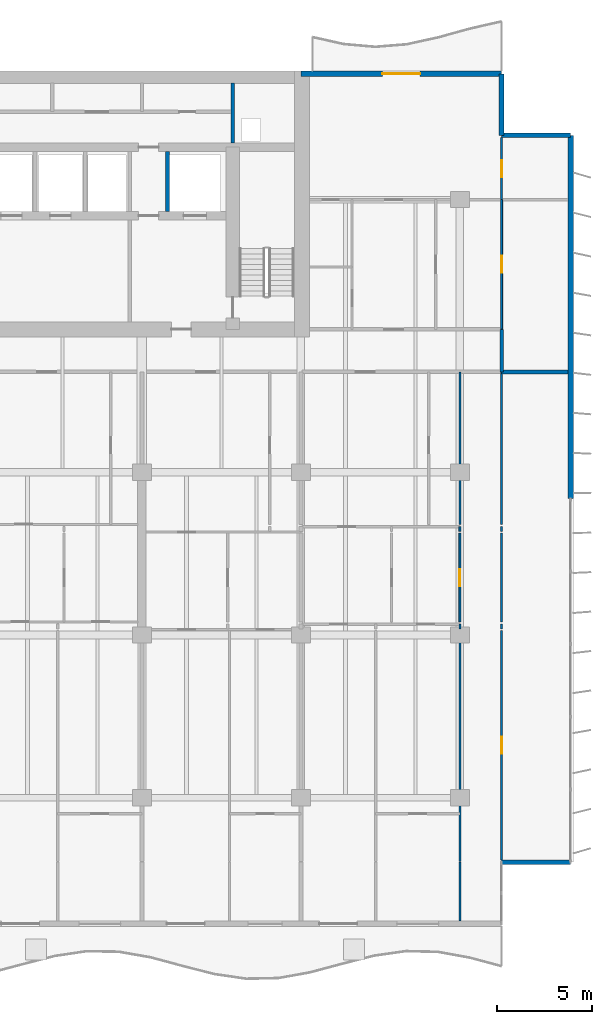
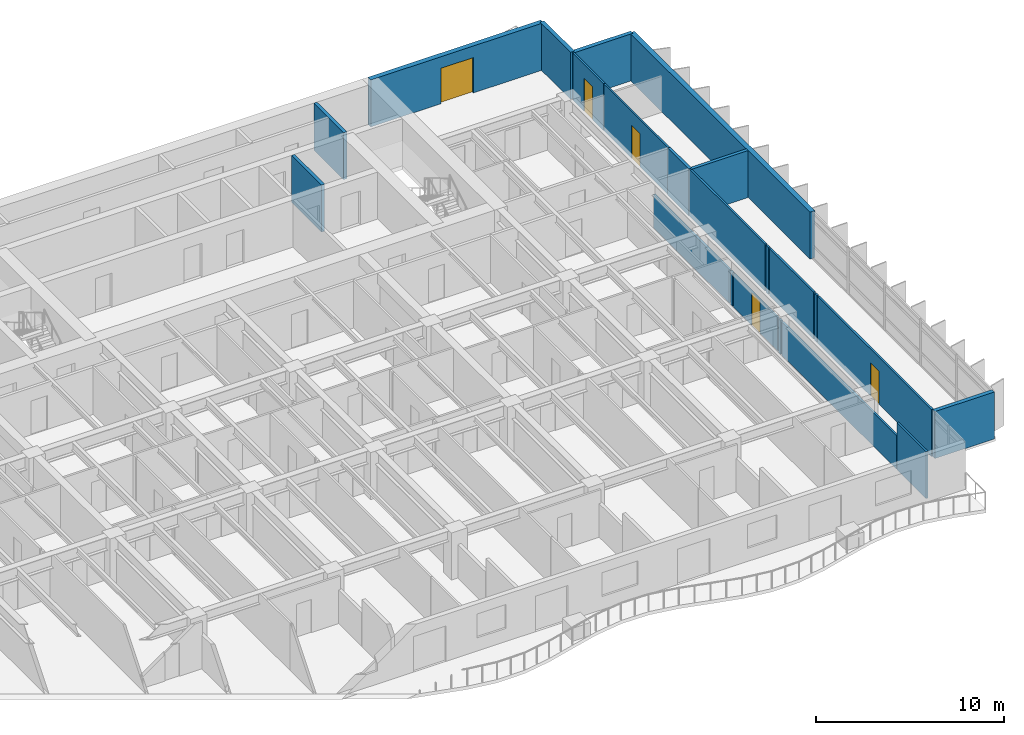
# One storey, part 13 of 18: 22 walls, 5 doors, 5 openings.
"""IFC4 building model written with IfcOpenShell, lengths in metres."""

from ifc_helpers import new_model, si_unit, direction, frame, frame_2d, origin, place, context, subcontext, project, spatial, rectangle, extrude, material, layer, layer_set, type_object, element, fill, save


model = new_model("IFC4")

# Units and contexts
model_context = context("Model", 3, precision=1e-05, world=origin(), true_north=direction((0.0, 1.0)))
body_context = subcontext(model_context, "Body", "Model", "MODEL_VIEW")
ifc_project = project(units=[si_unit("LENGTHUNIT", "METRE"), si_unit("AREAUNIT", "SQUARE_METRE"), si_unit("VOLUMEUNIT", "CUBIC_METRE"), si_unit("PLANEANGLEUNIT", "RADIAN"), si_unit("MASSUNIT", "GRAM", prefix="KILO")], contexts=[model_context])

# Site, building, storey
site_placement = place(None, origin())
site = spatial("IfcSite", under=ifc_project, at=site_placement, CompositionType="ELEMENT")
building_placement = place(site_placement, origin())
building = spatial("IfcBuilding", under=site, at=building_placement, Name="Caelmar Bay Residences", CompositionType="ELEMENT")
storey_placement = place(building_placement, frame((0.0, 0.0, 125.699951171875)))
storey = spatial("IfcBuildingStorey", under=building, at=storey_placement, Name="L34", CompositionType="ELEMENT", Elevation=125.699951171875)

# Walls
ifc_material_1 = material(Name="Double-stud acoustic fire-rated gypsum partition 180 mm")
ifc_layer_1 = layer(ifc_material_1, 0.179931640625)
ifc_layer_set_1 = layer_set([ifc_layer_1], Name="Double-stud acoustic fire-rated gypsum partition 180 mm")
wall_type_1 = type_object("IfcWallType", Name="W-COR-200", PredefinedType="PARTITIONING", material=ifc_layer_set_1)
wall_1_placement = place(storey_placement, frame((70.10009765625, 34.705078125, 0.0), z_axis=(0.0, 0.0, 1.0), x_axis=(0.0, 1.0, 0.0)))
element("IfcWall", 1, at=wall_1_placement, inside=storey, type_object=wall_type_1, Name="L34 Partition Wall V118", PredefinedType="PARTITIONING", context=body_context, shape_type="SweptSolid", body=[
    extrude(rectangle(XDim=2.244873046875, YDim=0.179931640625, at=frame_2d((1.12255859375, 0.0))), origin(), (0.0, 0.0, 1.0), 3.050048828125),
])
ifc_material_2 = material(Name="Precast concrete f'c 40 MPa (6,000 psi)", Category="concrete")
ifc_layer_2 = layer(ifc_material_2, 0.25)
ifc_layer_set_2 = layer_set([ifc_layer_2], Name="Precast concrete f'c 40 MPa (6,000 psi)")
wall_type_2 = type_object("IfcWallType", Name="W-EXT-250", PredefinedType="ELEMENTEDWALL", material=ifc_layer_set_2)
wall_2_placement = place(storey_placement, frame((70.10009765625, 8.800048828125, 0.0), z_axis=(0.0, 0.0, 1.0), x_axis=(1.0, 0.0, 0.0)))
element("IfcWall", 2, at=wall_2_placement, inside=storey, type_object=wall_type_2, Name="L34 SE Notch Return Wall", PredefinedType="ELEMENTEDWALL", context=body_context, shape_type="SweptSolid", body=[
    extrude(rectangle(XDim=3.64990234375, YDim=0.25, at=frame_2d((1.824951171875, 0.0))), origin(), (0.0, 0.0, 1.0), 3.050048828125),
])
wall_3_placement = place(storey_placement, frame((70.10009765625, 50.449951171875, 0.0), z_axis=(0.0, 0.0, 1.0), x_axis=(0.0, -1.0, 0.0)))
element("IfcWall", 3, at=wall_3_placement, inside=storey, type_object=wall_type_2, Name="L34 NNE-V Notch Wall", PredefinedType="ELEMENTEDWALL", context=body_context, shape_type="SweptSolid", body=[
    extrude(rectangle(XDim=3.25, YDim=0.25, at=frame_2d((1.625, 0.0))), origin(), (0.0, 0.0, 1.0), 3.050048828125),
])
wall_4_placement = place(storey_placement, frame((70.10009765625, 47.199951171875, 0.0), z_axis=(0.0, 0.0, 1.0), x_axis=(1.0, 0.0, 0.0)))
element("IfcWall", 4, at=wall_4_placement, inside=storey, type_object=wall_type_2, Name="L34 NNE-H Notch Wall", PredefinedType="ELEMENTEDWALL", context=body_context, shape_type="SweptSolid", body=[
    extrude(rectangle(XDim=3.64990234375, YDim=0.25, at=frame_2d((1.824951171875, 0.0))), origin(), (0.0, 0.0, 1.0), 3.050048828125),
])
ifc_layer_3 = layer(ifc_material_2, 0.300048828125)
ifc_layer_set_3 = layer_set([ifc_layer_3], Name="Precast concrete f'c 40 MPa (6,000 psi)")
wall_type_3 = type_object("IfcWallType", Name="W-EXT-300", PredefinedType="STANDARD", material=ifc_layer_set_3)
wall_5_placement = place(storey_placement, frame((73.75, 47.199951171875, 0.0), z_axis=(0.0, 0.0, 1.0), x_axis=(0.0, -1.0, 0.0)))
element("IfcWall", 5, at=wall_5_placement, inside=storey, type_object=wall_type_3, Name="L34 East Rear Exterior Wall", PredefinedType="STANDARD", context=body_context, shape_type="SweptSolid", body=[
    extrude(rectangle(XDim=19.199951171875, YDim=0.300048828125, at=frame_2d((9.60009765625, 0.0))), origin(), (0.0, 0.0, 1.0), 3.050048828125),
])

# Wall, opening, door
wall_6_placement = place(storey_placement, frame((59.5, 50.449951171875, 0.0), z_axis=(0.0, 0.0, 1.0), x_axis=(1.0, 0.0, 0.0)))
wall_6 = element("IfcWall", 6, at=wall_6_placement, inside=storey, type_object=wall_type_3, Name="L34 North-East Wing Exterior Wall", PredefinedType="STANDARD", context=body_context, shape_type="SweptSolid", body=[
    extrude(rectangle(XDim=10.60009765625, YDim=0.300048828125, at=frame_2d((5.300048828125, 0.0))), origin(), (0.0, 0.0, 1.0), 3.050048828125),
])
opening_1_placement = place(wall_6_placement, frame((4.300048828125, 0.0, 0.0)))
opening_1 = element("IfcOpeningElement", 7, at=opening_1_placement, cuts=wall_6, Name="Opening L34-BDNE", PredefinedType="OPENING", context=body_context, shape_type="SweptSolid", body=[
    extrude(rectangle(XDim=2.0, YDim=2.300048828125, at=frame_2d((1.0, 1.14990234375))), frame((0.0, 0.159912109375, 0.0), z_axis=(0.0, -1.0, 0.0), x_axis=(1.0, 0.0, 0.0)), (0.0, 0.0, 1.0), 0.320068359375),
])
ifc_material_3 = material(Name="Anodised bronze thermally broken sliding glass door", Category="glass")
ifc_layer_4 = layer(ifc_material_3, 0.050048828125)
ifc_layer_set_4 = layer_set([ifc_layer_4], Name="Anodised bronze thermally broken sliding glass door")
door_type_1 = type_object("IfcDoorType", Name="D-BAL-2000", OperationType="DOUBLE_DOOR_SLIDING", PredefinedType="DOOR", material=ifc_layer_set_4)
door_1_placement = place(opening_1_placement, origin())
door_1 = element("IfcDoor", 8, at=door_1_placement, inside=storey, type_object=door_type_1, Name="L34 North-East Balcony Door", OperationType="DOUBLE_DOOR_SLIDING", OverallHeight=2.300048828125, OverallWidth=2.0, PredefinedType="DOOR", context=body_context, shape_type="SweptSolid", body=[
    extrude(rectangle(XDim=2.0, YDim=2.300048828125, at=frame_2d((1.0, 1.14990234375))), frame((0.0, 0.02490234375, 0.0), z_axis=(0.0, -1.0, 0.0), x_axis=(1.0, 0.0, 0.0)), (0.0, 0.0, 1.0), 0.050048828125),
])
fill(opening_1, door_1)

# Walls
ifc_material_4 = material(Name="Fire-rated masonry and gypsum shaftliner assembly 200 mm", Category="masonry")
ifc_layer_5 = layer(ifc_material_4, 0.199951171875)
ifc_layer_set_5 = layer_set([ifc_layer_5], Name="Fire-rated masonry and gypsum shaftliner assembly 200 mm")
wall_type_4 = type_object("IfcWallType", Name="W-FSAE-200", PredefinedType="PARTITIONING", material=ifc_layer_set_5)
wall_7_placement = place(storey_placement, frame((52.449951171875, 43.169921875, 0.0), z_axis=(0.0, 0.0, 1.0), x_axis=(0.0, 1.0, 0.0)))
element("IfcWall", 9, at=wall_7_placement, inside=storey, type_object=wall_type_4, Name="L34 Partition Wall V085", PredefinedType="PARTITIONING", context=body_context, shape_type="SweptSolid", body=[
    extrude(rectangle(XDim=3.18505859375, YDim=0.199951171875, at=frame_2d((1.592529296875, 0.0))), origin(), (0.0, 0.0, 1.0), 3.050048828125),
])
wall_8_placement = place(storey_placement, frame((55.89990234375, 46.794921875, 0.0), z_axis=(0.0, 0.0, 1.0), x_axis=(0.0, 1.0, 0.0)))
element("IfcWall", 10, at=wall_8_placement, inside=storey, type_object=wall_type_4, Name="L34 Partition Wall V090", PredefinedType="PARTITIONING", context=body_context, shape_type="SweptSolid", body=[
    extrude(rectangle(XDim=3.16015625, YDim=0.199951171875, at=frame_2d((1.580078125, 0.0))), origin(), (0.0, 0.0, 1.0), 3.050048828125),
])

# Wall, opening, door
ifc_material_5 = material(Name="Anodised bronze framed acoustic sliding study partition 100 mm")
ifc_layer_6 = layer(ifc_material_5, 0.10009765625)
ifc_layer_set_6 = layer_set([ifc_layer_6], Name="Anodised bronze framed acoustic sliding study partition 100 mm")
wall_type_5 = type_object("IfcWallType", Name="W-MOV-100", PredefinedType="MOVABLE", material=ifc_layer_set_6)
wall_9_placement = place(storey_placement, frame((67.89990234375, 21.489990234375, 0.0), z_axis=(0.0, 0.0, 1.0), x_axis=(0.0, 1.0, 0.0)))
wall_9 = element("IfcWall", 11, at=wall_9_placement, inside=storey, type_object=wall_type_5, Name="L34 Partition Wall V110", PredefinedType="MOVABLE", context=body_context, shape_type="SweptSolid", body=[
    extrude(rectangle(XDim=4.68994140625, YDim=0.10009765625, at=frame_2d((2.344970703125, 0.0))), origin(), (0.0, 0.0, 1.0), 2.174072265625),
])
opening_2_placement = place(wall_9_placement, frame((1.89501953125, 0.0, 0.0)))
opening_2 = element("IfcOpeningElement", 12, at=opening_2_placement, cuts=wall_9, Name="Opening D-L34-172", PredefinedType="OPENING", context=body_context, shape_type="SweptSolid", body=[
    extrude(rectangle(XDim=0.89990234375, YDim=2.1240234375, at=frame_2d((0.449951171875, 1.06201171875))), frame((0.0, 0.06005859375, 0.0), z_axis=(0.0, -1.0, 0.0), x_axis=(1.0, 0.0, 0.0)), (0.0, 0.0, 1.0), 0.1201171875),
])
ifc_material_6 = material(Name="Solid walnut timber interior door leaf and frame", Category="wood")
ifc_layer_7 = layer(ifc_material_6, 0.050048828125)
ifc_layer_set_7 = layer_set([ifc_layer_7], Name="Solid walnut timber interior door leaf and frame")
door_type_2 = type_object("IfcDoorType", Name="D-ROOM-900", OperationType="NOTDEFINED", PredefinedType="DOOR", material=ifc_layer_set_7)
door_2_placement = place(opening_2_placement, origin())
door_2 = element("IfcDoor", 13, at=door_2_placement, inside=storey, type_object=door_type_2, Name="L34 Residence 07 East Apartment Hall Door", OperationType="SINGLE_SWING_LEFT", OverallHeight=2.1240234375, OverallWidth=0.89990234375, PredefinedType="DOOR", context=body_context, shape_type="SweptSolid", body=[
    extrude(rectangle(XDim=0.89990234375, YDim=2.1240234375, at=frame_2d((0.449951171875, 1.06201171875))), frame((0.0, 0.02490234375, 0.0), z_axis=(0.0, -1.0, 0.0), x_axis=(1.0, 0.0, 0.0)), (0.0, 0.0, 1.0), 0.050048828125),
])
fill(opening_2, door_2)

# Wall
wall_10_placement = place(storey_placement, frame((67.89990234375, 26.280029296875, 0.0), z_axis=(0.0, 0.0, 1.0), x_axis=(0.0, 1.0, 0.0)))
element("IfcWall", 14, at=wall_10_placement, inside=storey, type_object=wall_type_5, Name="L34 Partition Wall V111", PredefinedType="MOVABLE", context=body_context, shape_type="SweptSolid", body=[
    extrude(rectangle(XDim=0.239990234375, YDim=0.10009765625, at=frame_2d((0.1201171875, 0.0))), origin(), (0.0, 0.0, 1.0), 2.174072265625),
])

# Wall, opening, door
wall_11_placement = place(storey_placement, frame((70.10009765625, 36.955078125, 0.0), z_axis=(0.0, 0.0, 1.0), x_axis=(0.0, 1.0, 0.0)))
wall_11 = element("IfcWall", 15, at=wall_11_placement, inside=storey, type_object=wall_type_5, Name="L34 Partition Wall V119", PredefinedType="MOVABLE", context=body_context, shape_type="SweptSolid", body=[
    extrude(rectangle(XDim=6.844970703125, YDim=0.10009765625, at=frame_2d((3.42236328125, 0.0))), origin(), (0.0, 0.0, 1.0), 3.050048828125),
])
opening_3_placement = place(wall_11_placement, frame((2.972412109375, 0.0, 0.0)))
opening_3 = element("IfcOpeningElement", 16, at=opening_3_placement, cuts=wall_11, Name="Opening D-L34-187", PredefinedType="OPENING", context=body_context, shape_type="SweptSolid", body=[
    extrude(rectangle(XDim=0.89990234375, YDim=2.14990234375, at=frame_2d((0.449951171875, 1.074951171875))), frame((0.0, 0.06005859375, 0.0), z_axis=(0.0, -1.0, 0.0), x_axis=(1.0, 0.0, 0.0)), (0.0, 0.0, 1.0), 0.1201171875),
])
door_3_placement = place(opening_3_placement, origin())
door_3 = element("IfcDoor", 17, at=door_3_placement, inside=storey, type_object=door_type_2, Name="L34 Residence EA Sun Study Door", OperationType="SINGLE_SWING_RIGHT", OverallHeight=2.14990234375, OverallWidth=0.89990234375, PredefinedType="DOOR", context=body_context, shape_type="SweptSolid", body=[
    extrude(rectangle(XDim=0.89990234375, YDim=2.14990234375, at=frame_2d((0.449951171875, 1.074951171875))), frame((0.0, 0.02490234375, 0.0), z_axis=(0.0, -1.0, 0.0), x_axis=(1.0, 0.0, 0.0)), (0.0, 0.0, 1.0), 0.050048828125),
])
fill(opening_3, door_3)

# Walls
ifc_material_7 = material(Name="Acoustic metal-stud gypsum partition 120 mm")
ifc_layer_8 = layer(ifc_material_7, 0.1201171875)
ifc_layer_set_8 = layer_set([ifc_layer_8], Name="Acoustic metal-stud gypsum partition 120 mm")
wall_type_6 = type_object("IfcWallType", Name="W-PRT-120", PredefinedType="PARTITIONING", material=ifc_layer_set_8)
wall_12_placement = place(storey_placement, frame((67.89990234375, 5.695068359375, 0.0), z_axis=(0.0, 0.0, 1.0), x_axis=(0.0, 1.0, 0.0)))
element("IfcWall", 18, at=wall_12_placement, inside=storey, type_object=wall_type_6, Name="L34 Partition Wall V107", PredefinedType="PARTITIONING", context=body_context, shape_type="SweptSolid", body=[
    extrude(rectangle(XDim=3.10498046875, YDim=0.1201171875, at=frame_2d((1.552490234375, 0.0))), origin(), (0.0, 0.0, 1.0), 3.050048828125),
])
wall_13_placement = place(storey_placement, frame((67.89990234375, 8.840087890625, 0.0), z_axis=(0.0, 0.0, 1.0), x_axis=(0.0, 1.0, 0.0)))
element("IfcWall", 19, at=wall_13_placement, inside=storey, type_object=wall_type_6, Name="L34 Partition Wall V108", PredefinedType="PARTITIONING", context=body_context, shape_type="SweptSolid", body=[
    extrude(rectangle(XDim=12.18994140625, YDim=0.1201171875, at=frame_2d((6.094970703125, 0.0))), origin(), (0.0, 0.0, 1.0), 2.174072265625),
])
wall_14_placement = place(storey_placement, frame((67.89990234375, 21.1298828125, 0.0), z_axis=(0.0, 0.0, 1.0), x_axis=(0.0, 1.0, 0.0)))
element("IfcWall", 20, at=wall_14_placement, inside=storey, type_object=wall_type_6, Name="L34 Partition Wall V109", PredefinedType="PARTITIONING", context=body_context, shape_type="SweptSolid", body=[
    extrude(rectangle(XDim=0.240234375, YDim=0.1201171875, at=frame_2d((0.1201171875, 0.0))), origin(), (0.0, 0.0, 1.0), 2.174072265625),
])
wall_15_placement = place(storey_placement, frame((67.89990234375, 26.639892578125, 0.0), z_axis=(0.0, 0.0, 1.0), x_axis=(0.0, 1.0, 0.0)))
element("IfcWall", 21, at=wall_15_placement, inside=storey, type_object=wall_type_6, Name="L34 Partition Wall V112", PredefinedType="PARTITIONING", context=body_context, shape_type="SweptSolid", body=[
    extrude(rectangle(XDim=8.06005859375, YDim=0.1201171875, at=frame_2d((4.030029296875, 0.0))), origin(), (0.0, 0.0, 1.0), 2.174072265625),
])

# Wall, opening, door
wall_16_placement = place(storey_placement, frame((70.10009765625, 8.919921875, 0.0), z_axis=(0.0, 0.0, 1.0), x_axis=(0.0, 1.0, 0.0)))
wall_16 = element("IfcWall", 22, at=wall_16_placement, inside=storey, type_object=wall_type_6, Name="L34 Partition Wall V113", PredefinedType="PARTITIONING", context=body_context, shape_type="SweptSolid", body=[
    extrude(rectangle(XDim=12.110107421875, YDim=0.1201171875, at=frame_2d((6.05517578125, 0.0))), origin(), (0.0, 0.0, 1.0), 3.050048828125),
])
opening_4_placement = place(wall_16_placement, frame((5.60498046875, 0.0, 0.0)))
opening_4 = element("IfcOpeningElement", 23, at=opening_4_placement, cuts=wall_16, Name="Opening D-L34-174", PredefinedType="OPENING", context=body_context, shape_type="SweptSolid", body=[
    extrude(rectangle(XDim=0.89990234375, YDim=2.14990234375, at=frame_2d((0.449951171875, 1.074951171875))), frame((0.0, 0.070068359375, 0.0), z_axis=(0.0, -1.0, 0.0), x_axis=(1.0, 0.0, 0.0)), (0.0, 0.0, 1.0), 0.14013671875),
])
door_4_placement = place(opening_4_placement, origin())
door_4 = element("IfcDoor", 24, at=door_4_placement, inside=storey, type_object=door_type_2, Name="L34 Residence 07 Penthouse East Salon Door", OperationType="SINGLE_SWING_LEFT", OverallHeight=2.14990234375, OverallWidth=0.89990234375, PredefinedType="DOOR", context=body_context, shape_type="SweptSolid", body=[
    extrude(rectangle(XDim=0.89990234375, YDim=2.14990234375, at=frame_2d((0.449951171875, 1.074951171875))), frame((0.0, 0.02490234375, 0.0), z_axis=(0.0, -1.0, 0.0), x_axis=(1.0, 0.0, 0.0)), (0.0, 0.0, 1.0), 0.050048828125),
])
fill(opening_4, door_4)

# Walls
wall_17_placement = place(storey_placement, frame((70.10009765625, 21.1298828125, 0.0), z_axis=(0.0, 0.0, 1.0), x_axis=(0.0, 1.0, 0.0)))
element("IfcWall", 25, at=wall_17_placement, inside=storey, type_object=wall_type_6, Name="L34 Partition Wall V114", PredefinedType="PARTITIONING", context=body_context, shape_type="SweptSolid", body=[
    extrude(rectangle(XDim=0.240234375, YDim=0.1201171875, at=frame_2d((0.1201171875, 0.0))), origin(), (0.0, 0.0, 1.0), 3.050048828125),
])
wall_18_placement = place(storey_placement, frame((70.10009765625, 21.489990234375, 0.0), z_axis=(0.0, 0.0, 1.0), x_axis=(0.0, 1.0, 0.0)))
element("IfcWall", 26, at=wall_18_placement, inside=storey, type_object=wall_type_6, Name="L34 Partition Wall V115", PredefinedType="PARTITIONING", context=body_context, shape_type="SweptSolid", body=[
    extrude(rectangle(XDim=4.68994140625, YDim=0.1201171875, at=frame_2d((2.344970703125, 0.0))), origin(), (0.0, 0.0, 1.0), 3.050048828125),
])
wall_19_placement = place(storey_placement, frame((70.10009765625, 26.280029296875, 0.0), z_axis=(0.0, 0.0, 1.0), x_axis=(0.0, 1.0, 0.0)))
element("IfcWall", 27, at=wall_19_placement, inside=storey, type_object=wall_type_6, Name="L34 Partition Wall V116", PredefinedType="PARTITIONING", context=body_context, shape_type="SweptSolid", body=[
    extrude(rectangle(XDim=0.239990234375, YDim=0.1201171875, at=frame_2d((0.1201171875, 0.0))), origin(), (0.0, 0.0, 1.0), 3.050048828125),
])
wall_20_placement = place(storey_placement, frame((70.10009765625, 26.639892578125, 0.0), z_axis=(0.0, 0.0, 1.0), x_axis=(0.0, 1.0, 0.0)))
element("IfcWall", 28, at=wall_20_placement, inside=storey, type_object=wall_type_6, Name="L34 Partition Wall V117", PredefinedType="PARTITIONING", context=body_context, shape_type="SweptSolid", body=[
    extrude(rectangle(XDim=8.06005859375, YDim=0.1201171875, at=frame_2d((4.030029296875, 0.0))), origin(), (0.0, 0.0, 1.0), 3.050048828125),
])

# Wall, opening, door
wall_21_placement = place(storey_placement, frame((70.10009765625, 43.804931640625, 0.0), z_axis=(0.0, 0.0, 1.0), x_axis=(0.0, 1.0, 0.0)))
wall_21 = element("IfcWall", 29, at=wall_21_placement, inside=storey, type_object=wall_type_6, Name="L34 Partition Wall V120", PredefinedType="PARTITIONING", context=body_context, shape_type="SweptSolid", body=[
    extrude(rectangle(XDim=3.275146484375, YDim=0.1201171875, at=frame_2d((1.6376953125, 0.0))), origin(), (0.0, 0.0, 1.0), 3.050048828125),
])
opening_5_placement = place(wall_21_placement, frame((1.1875, 0.0, 0.0)))
opening_5 = element("IfcOpeningElement", 30, at=opening_5_placement, cuts=wall_21, Name="Opening D-L34-188", PredefinedType="OPENING", context=body_context, shape_type="SweptSolid", body=[
    extrude(rectangle(XDim=0.89990234375, YDim=2.14990234375, at=frame_2d((0.449951171875, 1.074951171875))), frame((0.0, 0.070068359375, 0.0), z_axis=(0.0, -1.0, 0.0), x_axis=(1.0, 0.0, 0.0)), (0.0, 0.0, 1.0), 0.14013671875),
])
door_5_placement = place(opening_5_placement, origin())
door_5 = element("IfcDoor", 31, at=door_5_placement, inside=storey, type_object=door_type_2, Name="L34 Residence EA North Sitting Alcove Door", OperationType="SINGLE_SWING_LEFT", OverallHeight=2.14990234375, OverallWidth=0.89990234375, PredefinedType="DOOR", context=body_context, shape_type="SweptSolid", body=[
    extrude(rectangle(XDim=0.89990234375, YDim=2.14990234375, at=frame_2d((0.449951171875, 1.074951171875))), frame((0.0, 0.02490234375, 0.0), z_axis=(0.0, -1.0, 0.0), x_axis=(1.0, 0.0, 0.0)), (0.0, 0.0, 1.0), 0.050048828125),
])
fill(opening_5, door_5)

# Wall
ifc_material_8 = material(Name="Acoustic twin-stud fire-rated inter-tenancy partition 200 mm")
ifc_layer_9 = layer(ifc_material_8, 0.199951171875)
ifc_layer_set_9 = layer_set([ifc_layer_9], Name="Acoustic twin-stud fire-rated inter-tenancy partition 200 mm")
wall_type_7 = type_object("IfcWallType", Name="W-PTY-200", PredefinedType="PARTITIONING", material=ifc_layer_set_9)
wall_22_placement = place(storey_placement, frame((70.10498046875, 34.699951171875, 0.0), z_axis=(0.0, 0.0, 1.0), x_axis=(1.0, 0.0, 0.0)))
element("IfcWall", 32, at=wall_22_placement, inside=storey, type_object=wall_type_7, Name="L34 Partition Wall H146", PredefinedType="PARTITIONING", context=body_context, shape_type="SweptSolid", body=[
    extrude(rectangle(XDim=3.5, YDim=0.199951171875, at=frame_2d((1.75, 0.0))), origin(), (0.0, 0.0, 1.0), 3.050048828125),
])

save(model, "model.ifc")
